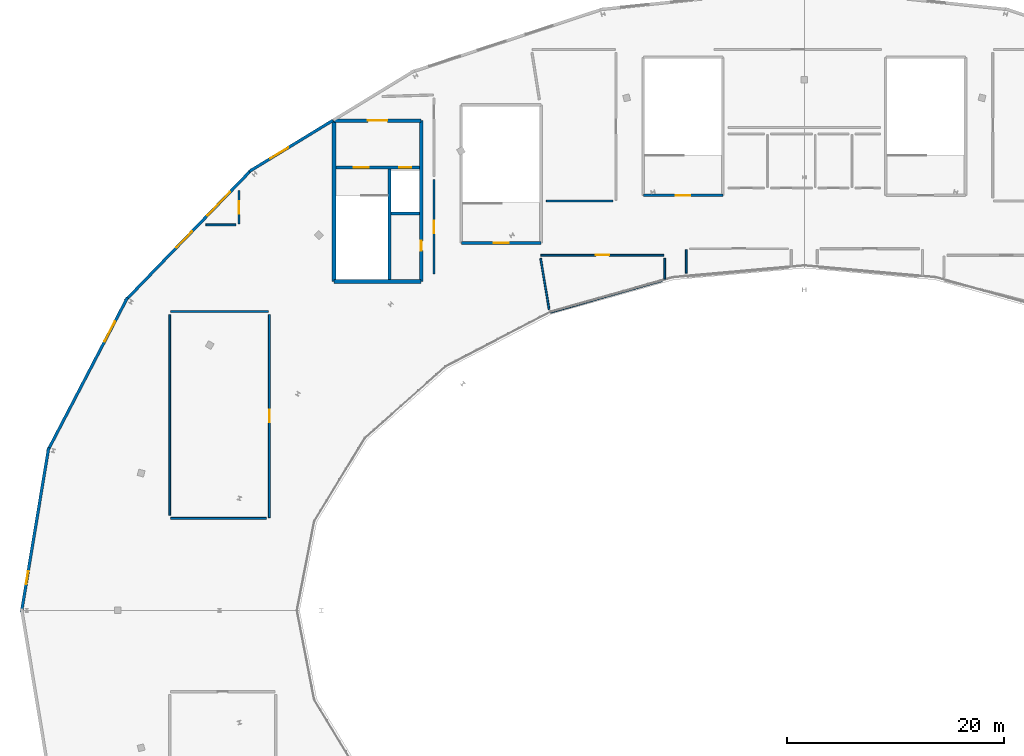
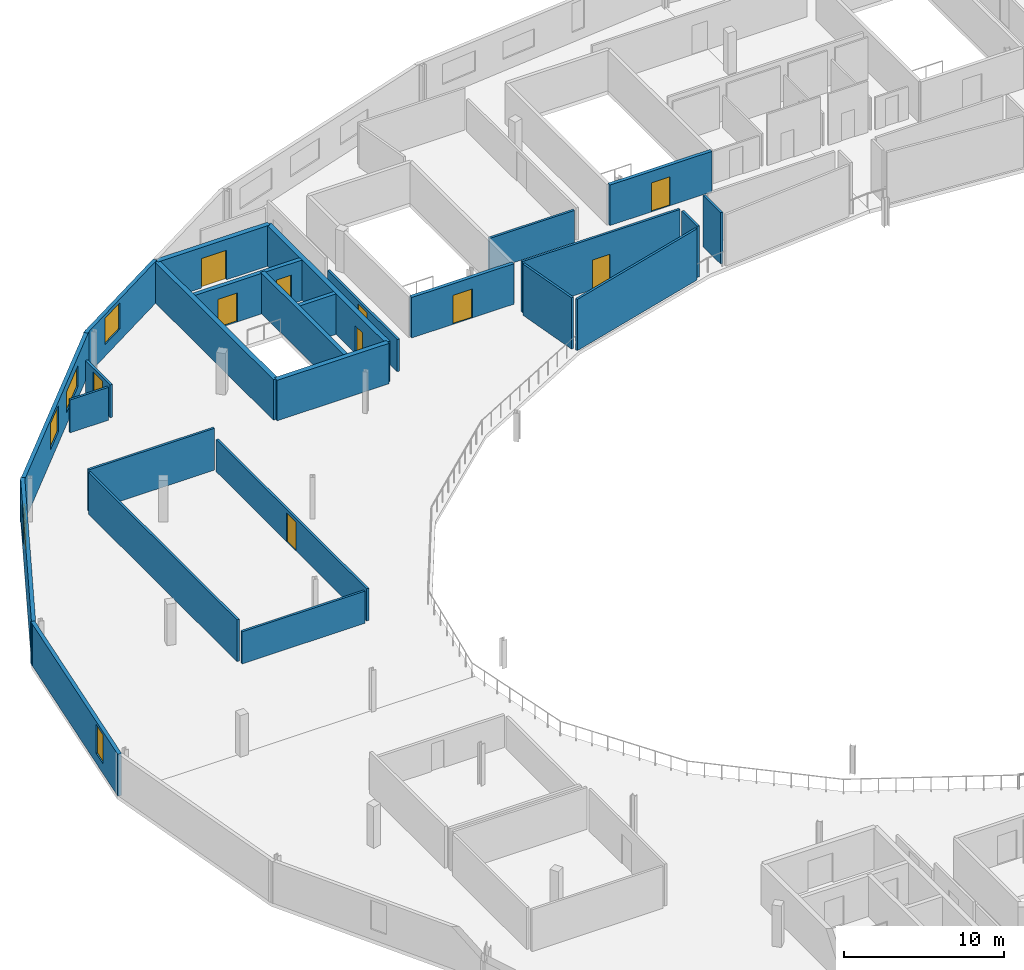
# One storey, part 29 of 35: 26 walls, 10 doors, 5 windows, 15 openings.
"""IFC4 building model written with IfcOpenShell, lengths in metres."""

from ifc_helpers import new_model, si_unit, direction, frame, frame_2d, origin, place, context, subcontext, project, spatial, rectangle, extrude, material, layer, layer_set, type_object, element, fill, save


model = new_model("IFC4")

# Units and contexts
model_context = context("Model", 3, precision=1e-05, world=origin(), true_north=direction((0.0, 1.0)))
body_context = subcontext(model_context, "Body", "Model", "MODEL_VIEW")
ifc_project = project(units=[si_unit("LENGTHUNIT", "METRE"), si_unit("AREAUNIT", "SQUARE_METRE"), si_unit("VOLUMEUNIT", "CUBIC_METRE"), si_unit("PLANEANGLEUNIT", "RADIAN"), si_unit("MASSUNIT", "GRAM", prefix="KILO")], contexts=[model_context])

# Site, building, storey
site_placement = place(None, origin())
site = spatial("IfcSite", under=ifc_project, at=site_placement, CompositionType="ELEMENT")
building_placement = place(site_placement, origin())
building = spatial("IfcBuilding", under=site, at=building_placement, Name="Kalgoora Escarpment Arena", CompositionType="ELEMENT")
storey_placement = place(building_placement, frame((0.0, 0.0, 23.39990234375)))
storey = spatial("IfcBuildingStorey", under=building, at=storey_placement, Name="L05", CompositionType="ELEMENT", Elevation=23.39990234375)

# Wall
ifc_material_1 = material(Name="Concrete N50 (fc' 50 MPa)", Category="concrete")
ifc_layer_1 = layer(ifc_material_1, 0.35009765625)
ifc_layer_set_1 = layer_set([ifc_layer_1], Name="WAL-CORE-350")
wall_type_1 = type_object("IfcWallType", Name="WAL-CORE-350", PredefinedType="SHEAR", material=ifc_layer_set_1)
wall_1_placement = place(storey_placement, frame((48.97509765625, 94.375, 0.0), z_axis=(0.0, 0.0, 1.0), x_axis=(1.0, 0.0, 0.0)))
element("IfcWall", 1, at=wall_1_placement, inside=storey, type_object=wall_type_1, Name="Core C3 L05 south shear wall", PredefinedType="SHEAR", context=body_context, shape_type="SweptSolid", body=[
    extrude(rectangle(XDim=8.0498046875, YDim=0.35009765625, at=frame_2d((4.02490234375, 0.0))), origin(), (0.0, 0.0, 1.0), 3.080078125),
])

# Wall, opening, door
wall_2_placement = place(storey_placement, frame((48.97509765625, 109.22509765625, 0.0), z_axis=(0.0, 0.0, 1.0), x_axis=(1.0, 0.0, 0.0)))
wall_2 = element("IfcWall", 2, at=wall_2_placement, inside=storey, type_object=wall_type_1, Name="Core C3 L05 north lobby wall", PredefinedType="SHEAR", context=body_context, shape_type="SweptSolid", body=[
    extrude(rectangle(XDim=8.0498046875, YDim=0.35009765625, at=frame_2d((4.02490234375, 0.0))), origin(), (0.0, 0.0, 1.0), 3.080078125),
])
opening_1_placement = place(wall_2_placement, frame((3.125, 0.0, 0.0)))
opening_1 = element("IfcOpeningElement", 3, at=opening_1_placement, cuts=wall_2, Name="Opening FD-C3L", PredefinedType="OPENING", context=body_context, shape_type="SweptSolid", body=[
    extrude(rectangle(XDim=1.800048828125, YDim=2.25, at=frame_2d((0.89990234375, 1.125))), frame((0.0, 0.18505859375, 0.0), z_axis=(0.0, -1.0, 0.0), x_axis=(1.0, 0.0, 0.0)), (0.0, 0.0, 1.0), 0.3701171875),
])
ifc_material_2 = material(Name="Double fire-rated smoke-seal lobby door")
door_type_1 = type_object("IfcDoorType", Name="DR-LOBBY-1800", OperationType="NOTDEFINED", PredefinedType="DOOR", material=ifc_material_2)
door_1_placement = place(opening_1_placement, origin())
door_1 = element("IfcDoor", 4, at=door_1_placement, inside=storey, type_object=door_type_1, Name="Core C3 L05 smoke-lobby fire door", OperationType="DOUBLE_DOOR_SINGLE_SWING", OverallHeight=2.25, OverallWidth=1.800048828125, PredefinedType="DOOR", context=body_context, shape_type="SweptSolid", body=[
    extrude(rectangle(XDim=1.800048828125, YDim=2.25, at=frame_2d((0.89990234375, 1.125))), frame((0.0, 0.02490234375, 0.0), z_axis=(0.0, -1.0, 0.0), x_axis=(1.0, 0.0, 0.0)), (0.0, 0.0, 1.0), 0.050048828125),
])
fill(opening_1, door_1)

# Wall
wall_3_placement = place(storey_placement, frame((48.97509765625, 94.375, 0.0), z_axis=(0.0, 0.0, 1.0), x_axis=(0.0, 1.0, 0.0)))
element("IfcWall", 5, at=wall_3_placement, inside=storey, type_object=wall_type_1, Name="Core C3 L05 west shear wall", PredefinedType="SHEAR", context=body_context, shape_type="SweptSolid", body=[
    extrude(rectangle(XDim=14.85009765625, YDim=0.35009765625, at=frame_2d((7.425048828125, 0.0))), origin(), (0.0, 0.0, 1.0), 3.080078125),
])

# Wall, opening, door
wall_4_placement = place(storey_placement, frame((57.02490234375, 94.375, 0.0), z_axis=(0.0, 0.0, 1.0), x_axis=(0.0, 1.0, 0.0)))
wall_4 = element("IfcWall", 6, at=wall_4_placement, inside=storey, type_object=wall_type_1, Name="Core C3 L05 east shear wall", PredefinedType="SHEAR", context=body_context, shape_type="SweptSolid", body=[
    extrude(rectangle(XDim=14.85009765625, YDim=0.35009765625, at=frame_2d((7.425048828125, 0.0))), origin(), (0.0, 0.0, 1.0), 3.080078125),
])
opening_2_placement = place(wall_4_placement, frame((2.85498046875, 0.0, 0.0)))
opening_2 = element("IfcOpeningElement", 7, at=opening_2_placement, cuts=wall_4, Name="Opening FD-C3R", PredefinedType="OPENING", context=body_context, shape_type="SweptSolid", body=[
    extrude(rectangle(XDim=0.89990234375, YDim=2.10009765625, at=frame_2d((0.449951171875, 1.050048828125))), frame((0.0, 0.18505859375, 0.0), z_axis=(0.0, -1.0, 0.0), x_axis=(1.0, 0.0, 0.0)), (0.0, 0.0, 1.0), 0.3701171875),
])
ifc_material_3 = material(Name="Fire-rated steel riser access door", Category="steel")
door_type_2 = type_object("IfcDoorType", Name="DR-RISER-0900", OperationType="NOTDEFINED", PredefinedType="DOOR", material=ifc_material_3)
door_2_placement = place(opening_2_placement, origin())
door_2 = element("IfcDoor", 8, at=door_2_placement, inside=storey, type_object=door_type_2, Name="Core C3 L05 riser cupboard access door", OperationType="SINGLE_SWING_RIGHT", OverallHeight=2.10009765625, OverallWidth=0.89990234375, PredefinedType="DOOR", context=body_context, shape_type="SweptSolid", body=[
    extrude(rectangle(XDim=0.89990234375, YDim=2.10009765625, at=frame_2d((0.449951171875, 1.050048828125))), frame((0.0, 0.02490234375, 0.0), z_axis=(0.0, -1.0, 0.0), x_axis=(1.0, 0.0, 0.0)), (0.0, 0.0, 1.0), 0.050048828125),
])
fill(opening_2, door_2)

# Wall, opening, window
ifc_material_4 = material(Name="Media ring insulated acoustic facade wall 40 MPa", Category="concrete")
ifc_layer_2 = layer(ifc_material_4, 0.264892578125)
ifc_layer_set_2 = layer_set([ifc_layer_2], Name="WAL-EXT-265")
wall_type_2 = type_object("IfcWallType", Name="WAL-EXT-265", PredefinedType="SOLIDWALL", material=ifc_layer_set_2)
wall_5_placement = place(storey_placement, frame((20.105712890625, 63.82666015625, 0.0), z_axis=(0.0, 0.0, 1.0), x_axis=(0.163253657255, 0.986584128898, 0.0)))
wall_5 = element("IfcWall", 9, at=wall_5_placement, inside=storey, type_object=wall_type_2, Name="L05 limestone-faced external wall 089", PredefinedType="SOLIDWALL", context=body_context, shape_type="SweptSolid", body=[
    extrude(rectangle(XDim=15.418212890625, YDim=0.264892578125, at=frame_2d((7.708984375, 0.0))), origin(), (0.0, 0.0, 1.0), 3.18017578125),
])
opening_3_placement = place(wall_5_placement, frame((2.64990234375, 0.0, 0.75)))
opening_3 = element("IfcOpeningElement", 10, at=opening_3_placement, cuts=wall_5, Name="Opening W-05", PredefinedType="OPENING", context=body_context, shape_type="SweptSolid", body=[
    extrude(rectangle(XDim=1.199951171875, YDim=2.199951171875, at=frame_2d((0.60009765625, 1.10009765625))), frame((0.0, 0.142333984375, 0.0), z_axis=(0.0, -1.0, 0.0), x_axis=(1.0, 0.0, 0.0)), (0.0, 0.0, 1.0), 0.284912109375),
])
ifc_material_5 = material(Name="Low-E solar-control double glazing in champagne frame", Category="glass")
window_type_1 = type_object("IfcWindowType", Name="WIN-DECO-1200x2200", PartitioningType="SINGLE_PANEL", PredefinedType="WINDOW", material=ifc_material_5)
window_1_placement = place(opening_3_placement, origin())
window_1 = element("IfcWindow", 11, at=window_1_placement, inside=storey, type_object=window_type_1, Name="L05 scheduled facade window 145", OverallHeight=2.199951171875, OverallWidth=1.199951171875, PartitioningType="SINGLE_PANEL", PredefinedType="WINDOW", context=body_context, shape_type="SweptSolid", body=[
    extrude(rectangle(XDim=1.199951171875, YDim=2.199951171875, at=frame_2d((0.60009765625, 1.10009765625))), frame((0.0, 0.030029296875, 0.0), z_axis=(0.0, -1.0, 0.0), x_axis=(1.0, 0.0, 0.0)), (0.0, 0.0, 1.0), 0.06005859375),
])
fill(opening_3, window_1)

wall_6_placement = place(storey_placement, frame((22.513427734375, 78.71044921875, 0.0), z_axis=(0.0, 0.0, 1.0), x_axis=(0.461805637467, 0.886981145912, 0.0)))
wall_6 = element("IfcWall", 12, at=wall_6_placement, inside=storey, type_object=wall_type_2, Name="L05 limestone-faced external wall 090", PredefinedType="SOLIDWALL", context=body_context, shape_type="SweptSolid", body=[
    extrude(rectangle(XDim=15.969482421875, YDim=0.264892578125, at=frame_2d((7.98486328125, 0.0))), origin(), (0.0, 0.0, 1.0), 3.18017578125),
])
opening_4_placement = place(wall_6_placement, frame((11.39990234375, 0.0, 0.89990234375)))
opening_4 = element("IfcOpeningElement", 13, at=opening_4_placement, cuts=wall_6, Name="Opening W-08", PredefinedType="OPENING", context=body_context, shape_type="SweptSolid", body=[
    extrude(rectangle(XDim=2.10009765625, YDim=2.0, at=frame_2d((1.050048828125, 1.0))), frame((0.0, 0.142333984375, 0.0), z_axis=(0.0, -1.0, 0.0), x_axis=(1.0, 0.0, 0.0)), (0.0, 0.0, 1.0), 0.284912109375),
])
ifc_material_6 = material(Name="Low-E solar-control double glazing in champagne frame", Category="glass")
window_type_2 = type_object("IfcWindowType", Name="WIN-DECO-2100x2000", PartitioningType="SINGLE_PANEL", PredefinedType="WINDOW", material=ifc_material_6)
window_2_placement = place(opening_4_placement, origin())
window_2 = element("IfcWindow", 14, at=window_2_placement, inside=storey, type_object=window_type_2, Name="L05 scheduled facade window 146", OverallHeight=2.0, OverallWidth=2.10009765625, PartitioningType="SINGLE_PANEL", PredefinedType="WINDOW", context=body_context, shape_type="SweptSolid", body=[
    extrude(rectangle(XDim=2.10009765625, YDim=2.0, at=frame_2d((1.050048828125, 1.0))), frame((0.0, 0.030029296875, 0.0), z_axis=(0.0, -1.0, 0.0), x_axis=(1.0, 0.0, 0.0)), (0.0, 0.0, 1.0), 0.06005859375),
])
fill(opening_4, window_2)

# Wall, openings, windows
wall_7_placement = place(storey_placement, frame((29.6884765625, 92.597412109375, 0.0), z_axis=(0.0, 0.0, 1.0), x_axis=(0.694213985366, 0.719768672924, 0.0)))
wall_7 = element("IfcWall", 15, at=wall_7_placement, inside=storey, type_object=wall_type_2, Name="L05 limestone-faced external wall 091", PredefinedType="SOLIDWALL", context=body_context, shape_type="SweptSolid", body=[
    extrude(rectangle(XDim=16.88134765625, YDim=0.264892578125, at=frame_2d((8.440673828125, 0.0))), origin(), (0.0, 0.0, 1.0), 3.18017578125),
])
opening_5_placement = place(wall_7_placement, frame((6.800048828125, 0.0, 0.89990234375)))
opening_5 = element("IfcOpeningElement", 16, at=opening_5_placement, cuts=wall_7, Name="Opening W-08", PredefinedType="OPENING", context=body_context, shape_type="SweptSolid", body=[
    extrude(rectangle(XDim=2.10009765625, YDim=2.0, at=frame_2d((1.050048828125, 1.0))), frame((0.0, 0.142333984375, 0.0), z_axis=(0.0, -1.0, 0.0), x_axis=(1.0, 0.0, 0.0)), (0.0, 0.0, 1.0), 0.284912109375),
])
opening_6_placement = place(wall_7_placement, frame((10.949951171875, 0.0, 0.89990234375)))
opening_6 = element("IfcOpeningElement", 17, at=opening_6_placement, cuts=wall_7, Name="Opening W-10", PredefinedType="OPENING", context=body_context, shape_type="SweptSolid", body=[
    extrude(rectangle(XDim=3.0, YDim=1.60009765625, at=frame_2d((1.5, 0.800048828125))), frame((0.0, 0.142333984375, 0.0), z_axis=(0.0, -1.0, 0.0), x_axis=(1.0, 0.0, 0.0)), (0.0, 0.0, 1.0), 0.284912109375),
])
ifc_material_7 = material(Name="Low-E solar-control double glazing in champagne frame", Category="glass")
window_type_3 = type_object("IfcWindowType", Name="WIN-BAND-3000x1600", PartitioningType="SINGLE_PANEL", PredefinedType="WINDOW", material=ifc_material_7)
window_3_placement = place(opening_6_placement, origin())
window_3 = element("IfcWindow", 18, at=window_3_placement, inside=storey, type_object=window_type_3, Name="L05 scheduled facade window 148", OverallHeight=1.60009765625, OverallWidth=3.0, PartitioningType="SINGLE_PANEL", PredefinedType="WINDOW", context=body_context, shape_type="SweptSolid", body=[
    extrude(rectangle(XDim=3.0, YDim=1.60009765625, at=frame_2d((1.5, 0.800048828125))), frame((0.0, 0.030029296875, 0.0), z_axis=(0.0, -1.0, 0.0), x_axis=(1.0, 0.0, 0.0)), (0.0, 0.0, 1.0), 0.06005859375),
])
fill(opening_6, window_3)
window_4_placement = place(opening_5_placement, origin())
window_4 = element("IfcWindow", 19, at=window_4_placement, inside=storey, type_object=window_type_2, Name="L05 scheduled facade window 147", OverallHeight=2.0, OverallWidth=2.10009765625, PartitioningType="SINGLE_PANEL", PredefinedType="WINDOW", context=body_context, shape_type="SweptSolid", body=[
    extrude(rectangle(XDim=2.10009765625, YDim=2.0, at=frame_2d((1.050048828125, 1.0))), frame((0.0, 0.030029296875, 0.0), z_axis=(0.0, -1.0, 0.0), x_axis=(1.0, 0.0, 0.0)), (0.0, 0.0, 1.0), 0.06005859375),
])
fill(opening_5, window_4)

# Wall, opening, window
wall_8_placement = place(storey_placement, frame((41.143310546875, 104.5361328125, 0.0), z_axis=(0.0, 0.0, 1.0), x_axis=(0.853521769318, 0.52105718429, 0.0)))
wall_8 = element("IfcWall", 20, at=wall_8_placement, inside=storey, type_object=wall_type_2, Name="L05 limestone-faced external wall 092", PredefinedType="SOLIDWALL", context=body_context, shape_type="SweptSolid", body=[
    extrude(rectangle(XDim=9.051513671875, YDim=0.264892578125, at=frame_2d((4.52587890625, 0.0))), origin(), (0.0, 0.0, 1.0), 3.18017578125),
])
opening_7_placement = place(wall_8_placement, frame((2.27490234375, 0.0, 0.89990234375)))
opening_7 = element("IfcOpeningElement", 21, at=opening_7_placement, cuts=wall_8, Name="Opening W-09", PredefinedType="OPENING", context=body_context, shape_type="SweptSolid", body=[
    extrude(rectangle(XDim=1.949951171875, YDim=2.0, at=frame_2d((0.97509765625, 1.0))), frame((0.0, 0.142333984375, 0.0), z_axis=(0.0, -1.0, 0.0), x_axis=(1.0, 0.0, 0.0)), (0.0, 0.0, 1.0), 0.284912109375),
])
ifc_material_8 = material(Name="Low-E solar-control double glazing in champagne frame", Category="glass")
window_type_4 = type_object("IfcWindowType", Name="WIN-DECO-1950x2000", PartitioningType="SINGLE_PANEL", PredefinedType="WINDOW", material=ifc_material_8)
window_5_placement = place(opening_7_placement, origin())
window_5 = element("IfcWindow", 22, at=window_5_placement, inside=storey, type_object=window_type_4, Name="L05 scheduled facade window 149", OverallHeight=2.0, OverallWidth=1.949951171875, PartitioningType="SINGLE_PANEL", PredefinedType="WINDOW", context=body_context, shape_type="SweptSolid", body=[
    extrude(rectangle(XDim=1.949951171875, YDim=2.0, at=frame_2d((0.97509765625, 1.0))), frame((0.0, 0.030029296875, 0.0), z_axis=(0.0, -1.0, 0.0), x_axis=(1.0, 0.0, 0.0)), (0.0, 0.0, 1.0), 0.06005859375),
])
fill(opening_7, window_5)

# Walls
ifc_material_9 = material(Name="Broadcast acoustic double-stud partition", Category="gypsum")
ifc_layer_3 = layer(ifc_material_9, 0.1650390625)
ifc_layer_set_3 = layer_set([ifc_layer_3], Name="WAL-MED-165")
wall_type_3 = type_object("IfcWallType", Name="WAL-MED-165", PredefinedType="PARTITIONING", material=ifc_layer_set_3)
wall_9_placement = place(storey_placement, frame((74.715087890625, 101.800048828125, 0.0), z_axis=(0.0, 0.0, 1.0), x_axis=(-1.0, 0.0, 0.0)))
element("IfcWall", 23, at=wall_9_placement, inside=storey, type_object=wall_type_3, Name="L05 Broadcast Studio partition wall", PredefinedType="PARTITIONING", context=body_context, shape_type="SweptSolid", body=[
    extrude(rectangle(XDim=6.14013671875, YDim=0.1650390625, at=frame_2d((3.070068359375, 0.0))), origin(), (0.0, 0.0, 1.0), 2.445068359375),
])
wall_10_placement = place(storey_placement, frame((33.8798828125, 91.60009765625, 0.0), z_axis=(0.0, 0.0, 1.0), x_axis=(1.0, 0.0, 0.0)))
element("IfcWall", 24, at=wall_10_placement, inside=storey, type_object=wall_type_3, Name="L05 Television Production Gallery partition wall", PredefinedType="PARTITIONING", context=body_context, shape_type="SweptSolid", body=[
    extrude(rectangle(XDim=9.0400390625, YDim=0.1650390625, at=frame_2d((4.52001953125, 0.0))), origin(), (0.0, 0.0, 1.0), 3.18017578125),
])

# Wall, opening, door
wall_11_placement = place(storey_placement, frame((43.0, 91.315185546875, 0.0), z_axis=(0.0, 0.0, 1.0), x_axis=(0.0, -1.0, 0.0)))
wall_11 = element("IfcWall", 25, at=wall_11_placement, inside=storey, type_object=wall_type_3, Name="L05 Television Production Gallery partition wall", PredefinedType="PARTITIONING", context=body_context, shape_type="SweptSolid", body=[
    extrude(rectangle(XDim=18.735107421875, YDim=0.1650390625, at=frame_2d((9.36767578125, 0.0))), origin(), (0.0, 0.0, 1.0), 2.445068359375),
])
opening_8_placement = place(wall_11_placement, frame((8.79248046875, 0.0, 0.0)))
opening_8 = element("IfcOpeningElement", 26, at=opening_8_placement, cuts=wall_11, Name="Opening FD-I152", PredefinedType="OPENING", context=body_context, shape_type="SweptSolid", body=[
    extrude(rectangle(XDim=1.14990234375, YDim=2.199951171875, at=frame_2d((0.574951171875, 1.10009765625))), frame((0.0, 0.092529296875, 0.0), z_axis=(0.0, -1.0, 0.0), x_axis=(1.0, 0.0, 0.0)), (0.0, 0.0, 1.0), 0.18505859375),
])
ifc_material_10 = material(Name="Acoustic seal commentary suite leaf")
door_type_3 = type_object("IfcDoorType", Name="DR-MED-1150", OperationType="NOTDEFINED", PredefinedType="DOOR", material=ifc_material_10)
door_3_placement = place(opening_8_placement, origin())
door_3 = element("IfcDoor", 27, at=door_3_placement, inside=storey, type_object=door_type_3, Name="Television Production Gallery entrance door", OperationType="SINGLE_SWING_RIGHT", OverallHeight=2.199951171875, OverallWidth=1.14990234375, PredefinedType="DOOR", context=body_context, shape_type="SweptSolid", body=[
    extrude(rectangle(XDim=1.14990234375, YDim=2.199951171875, at=frame_2d((0.574951171875, 1.10009765625))), frame((0.0, 0.02490234375, 0.0), z_axis=(0.0, -1.0, 0.0), x_axis=(1.0, 0.0, 0.0)), (0.0, 0.0, 1.0), 0.050048828125),
])
fill(opening_8, door_3)

# Walls
wall_12_placement = place(storey_placement, frame((42.715087890625, 72.5, 0.0), z_axis=(0.0, 0.0, 1.0), x_axis=(-1.0, 0.0, 0.0)))
element("IfcWall", 28, at=wall_12_placement, inside=storey, type_object=wall_type_3, Name="L05 Television Production Gallery partition wall", PredefinedType="PARTITIONING", context=body_context, shape_type="SweptSolid", body=[
    extrude(rectangle(XDim=8.835205078125, YDim=0.1650390625, at=frame_2d((4.41748046875, 0.0))), origin(), (0.0, 0.0, 1.0), 2.445068359375),
])
wall_13_placement = place(storey_placement, frame((33.800048828125, 72.784912109375, 0.0), z_axis=(0.0, 0.0, 1.0), x_axis=(0.0, 1.0, 0.0)))
element("IfcWall", 29, at=wall_13_placement, inside=storey, type_object=wall_type_3, Name="L05 Television Production Gallery partition wall", PredefinedType="PARTITIONING", context=body_context, shape_type="SweptSolid", body=[
    extrude(rectangle(XDim=18.5302734375, YDim=0.1650390625, at=frame_2d((9.26513671875, 0.0))), origin(), (0.0, 0.0, 1.0), 3.18017578125),
])

# Wall, opening, door
wall_14_placement = place(storey_placement, frame((58.199951171875, 103.77001953125, 0.0), z_axis=(0.0, 0.0, 1.0), x_axis=(0.0, -1.0, 0.0)))
wall_14 = element("IfcWall", 30, at=wall_14_placement, inside=storey, type_object=wall_type_3, Name="L05 West Media Editing Suite partition wall", PredefinedType="PARTITIONING", context=body_context, shape_type="SweptSolid", body=[
    extrude(rectangle(XDim=8.68994140625, YDim=0.1650390625, at=frame_2d((4.344970703125, 0.0))), origin(), (0.0, 0.0, 1.0), 2.445068359375),
])
opening_9_placement = place(wall_14_placement, frame((3.77001953125, 0.0, 0.0)))
opening_9 = element("IfcOpeningElement", 31, at=opening_9_placement, cuts=wall_14, Name="Opening FD-I153", PredefinedType="OPENING", context=body_context, shape_type="SweptSolid", body=[
    extrude(rectangle(XDim=1.14990234375, YDim=2.199951171875, at=frame_2d((0.574951171875, 1.10009765625))), frame((0.0, 0.092529296875, 0.0), z_axis=(0.0, -1.0, 0.0), x_axis=(1.0, 0.0, 0.0)), (0.0, 0.0, 1.0), 0.18505859375),
])
door_4_placement = place(opening_9_placement, origin())
door_4 = element("IfcDoor", 32, at=door_4_placement, inside=storey, type_object=door_type_3, Name="West Media Editing Suite entrance door", OperationType="SINGLE_SWING_LEFT", OverallHeight=2.199951171875, OverallWidth=1.14990234375, PredefinedType="DOOR", context=body_context, shape_type="SweptSolid", body=[
    extrude(rectangle(XDim=1.14990234375, YDim=2.199951171875, at=frame_2d((0.574951171875, 1.10009765625))), frame((0.0, 0.02490234375, 0.0), z_axis=(0.0, -1.0, 0.0), x_axis=(1.0, 0.0, 0.0)), (0.0, 0.0, 1.0), 0.050048828125),
])
fill(opening_9, door_4)

wall_15_placement = place(storey_placement, frame((40.199951171875, 102.767578125, 0.0), z_axis=(0.0, 0.0, 1.0), x_axis=(0.0, -1.0, 0.0)))
wall_15 = element("IfcWall", 33, at=wall_15_placement, inside=storey, type_object=wall_type_3, Name="L05 North West Media Briefing Hall partition wall", PredefinedType="PARTITIONING", context=body_context, shape_type="SweptSolid", body=[
    extrude(rectangle(XDim=3.087646484375, YDim=0.1650390625, at=frame_2d((1.5439453125, 0.0))), origin(), (0.0, 0.0, 1.0), 2.5),
])
opening_10_placement = place(wall_15_placement, frame((0.96875, 0.0, 0.0)))
opening_10 = element("IfcOpeningElement", 34, at=opening_10_placement, cuts=wall_15, Name="Opening FD-I155", PredefinedType="OPENING", context=body_context, shape_type="SweptSolid", body=[
    extrude(rectangle(XDim=1.14990234375, YDim=2.199951171875, at=frame_2d((0.574951171875, 1.10009765625))), frame((0.0, 0.092529296875, 0.0), z_axis=(0.0, -1.0, 0.0), x_axis=(1.0, 0.0, 0.0)), (0.0, 0.0, 1.0), 0.18505859375),
])
door_5_placement = place(opening_10_placement, origin())
door_5 = element("IfcDoor", 35, at=door_5_placement, inside=storey, type_object=door_type_3, Name="North West Media Briefing Hall entrance door", OperationType="SINGLE_SWING_LEFT", OverallHeight=2.199951171875, OverallWidth=1.14990234375, PredefinedType="DOOR", context=body_context, shape_type="SweptSolid", body=[
    extrude(rectangle(XDim=1.14990234375, YDim=2.199951171875, at=frame_2d((0.574951171875, 1.10009765625))), frame((0.0, 0.02490234375, 0.0), z_axis=(0.0, -1.0, 0.0), x_axis=(1.0, 0.0, 0.0)), (0.0, 0.0, 1.0), 0.050048828125),
])
fill(opening_10, door_5)

# Wall
wall_16_placement = place(storey_placement, frame((39.915283203125, 99.60009765625, 0.0), z_axis=(0.0, 0.0, 1.0), x_axis=(-1.0, 0.0, 0.0)))
element("IfcWall", 36, at=wall_16_placement, inside=storey, type_object=wall_type_3, Name="L05 North West Media Briefing Hall partition wall", PredefinedType="PARTITIONING", context=body_context, shape_type="SweptSolid", body=[
    extrude(rectangle(XDim=2.767578125, YDim=0.1650390625, at=frame_2d((1.3837890625, 0.0))), origin(), (0.0, 0.0, 1.0), 2.5),
])

# Wall, opening, door
wall_17_placement = place(storey_placement, frame((68.080078125, 96.800048828125, 0.0), z_axis=(0.0, 0.0, 1.0), x_axis=(1.0, 0.0, 0.0)))
wall_17 = element("IfcWall", 37, at=wall_17_placement, inside=storey, type_object=wall_type_3, Name="L05 Commentary Box 1 partition wall", PredefinedType="PARTITIONING", context=body_context, shape_type="SweptSolid", body=[
    extrude(rectangle(XDim=11.33984375, YDim=0.1650390625, at=frame_2d((5.669921875, 0.0))), origin(), (0.0, 0.0, 1.0), 3.900146484375),
])
opening_11_placement = place(wall_17_placement, frame((5.044921875, 0.0, 0.0)))
opening_11 = element("IfcOpeningElement", 38, at=opening_11_placement, cuts=wall_17, Name="Opening FD-I167", PredefinedType="OPENING", context=body_context, shape_type="SweptSolid", body=[
    extrude(rectangle(XDim=1.25, YDim=2.25, at=frame_2d((0.625, 1.125))), frame((0.0, 0.092529296875, 0.0), z_axis=(0.0, -1.0, 0.0), x_axis=(1.0, 0.0, 0.0)), (0.0, 0.0, 1.0), 0.18505859375),
])
ifc_material_11 = material(Name="Acoustic seal broadcast studio leaf")
door_type_4 = type_object("IfcDoorType", Name="DR-MED-1250", OperationType="NOTDEFINED", PredefinedType="DOOR", material=ifc_material_11)
door_6_placement = place(opening_11_placement, origin())
door_6 = element("IfcDoor", 39, at=door_6_placement, inside=storey, type_object=door_type_4, Name="Commentary Box 1 entrance door", OperationType="SINGLE_SWING_LEFT", OverallHeight=2.25, OverallWidth=1.25, PredefinedType="DOOR", context=body_context, shape_type="SweptSolid", body=[
    extrude(rectangle(XDim=1.25, YDim=2.25, at=frame_2d((0.625, 1.125))), frame((0.0, 0.02490234375, 0.0), z_axis=(0.0, -1.0, 0.0), x_axis=(1.0, 0.0, 0.0)), (0.0, 0.0, 1.0), 0.050048828125),
])
fill(opening_11, door_6)

# Walls
wall_18_placement = place(storey_placement, frame((79.5, 96.51513671875, 0.0), z_axis=(0.0, 0.0, 1.0), x_axis=(0.0, -1.0, 0.0)))
element("IfcWall", 40, at=wall_18_placement, inside=storey, type_object=wall_type_3, Name="L05 Commentary Box 1 partition wall", PredefinedType="PARTITIONING", context=body_context, shape_type="SweptSolid", body=[
    extrude(rectangle(XDim=1.9189453125, YDim=0.1650390625, at=frame_2d((0.95947265625, 0.0))), origin(), (0.0, 0.0, 1.0), 3.900146484375),
])
wall_19_placement = place(storey_placement, frame((79.24609375, 94.44384765625, 0.0), z_axis=(0.0, 0.0, 1.0), x_axis=(-0.961963717296, -0.27317724394, 0.0)))
element("IfcWall", 41, at=wall_19_placement, inside=storey, type_object=wall_type_3, Name="L05 Commentary Box 1 partition wall", PredefinedType="PARTITIONING", context=body_context, shape_type="SweptSolid", body=[
    extrude(rectangle(XDim=10.69580078125, YDim=0.1650390625, at=frame_2d((5.347900390625, 0.0))), origin(), (0.0, 0.0, 1.0), 3.900146484375),
])
wall_20_placement = place(storey_placement, frame((68.83203125, 91.789794921875, 0.0), z_axis=(0.0, 0.0, 1.0), x_axis=(-0.163835799107, 0.986487623303, 0.0)))
element("IfcWall", 42, at=wall_20_placement, inside=storey, type_object=wall_type_3, Name="L05 Commentary Box 1 partition wall", PredefinedType="PARTITIONING", context=body_context, shape_type="SweptSolid", body=[
    extrude(rectangle(XDim=4.780517578125, YDim=0.1650390625, at=frame_2d((2.39013671875, 0.0))), origin(), (0.0, 0.0, 1.0), 3.900146484375),
])
wall_21_placement = place(storey_placement, frame((81.5, 95.139892578125, 0.0), z_axis=(0.0, 0.0, 1.0), x_axis=(0.0, 1.0, 0.0)))
element("IfcWall", 43, at=wall_21_placement, inside=storey, type_object=wall_type_3, Name="L05 Commentary Box 2 partition wall", PredefinedType="PARTITIONING", context=body_context, shape_type="SweptSolid", body=[
    extrude(rectangle(XDim=2.18017578125, YDim=0.1650390625, at=frame_2d((1.090087890625, 0.0))), origin(), (0.0, 0.0, 1.0), 3.900146484375),
])

# Wall, openings, doors
ifc_material_12 = material(Name="Concrete N50 (fc' 50 MPa)", Category="concrete")
ifc_layer_4 = layer(ifc_material_12, 0.300048828125)
ifc_layer_set_4 = layer_set([ifc_layer_4], Name="WAL-SHAFT-300")
wall_type_4 = type_object("IfcWallType", Name="WAL-SHAFT-300", PredefinedType="SHEAR", material=ifc_layer_set_4)
wall_22_placement = place(storey_placement, frame((49.14990234375, 104.89990234375, 0.0), z_axis=(0.0, 0.0, 1.0), x_axis=(1.0, 0.0, 0.0)))
wall_22 = element("IfcWall", 44, at=wall_22_placement, inside=storey, type_object=wall_type_4, Name="Core C3 L05 lobby shaft wall", PredefinedType="SHEAR", context=body_context, shape_type="SweptSolid", body=[
    extrude(rectangle(XDim=7.7001953125, YDim=0.300048828125, at=frame_2d((3.85009765625, 0.0))), origin(), (0.0, 0.0, 1.0), 3.080078125),
])
opening_12_placement = place(wall_22_placement, frame((1.64990234375, 0.0, 0.0)))
opening_12 = element("IfcOpeningElement", 45, at=opening_12_placement, cuts=wall_22, Name="Opening FD-ST03", PredefinedType="OPENING", context=body_context, shape_type="SweptSolid", body=[
    extrude(rectangle(XDim=1.39990234375, YDim=2.199951171875, at=frame_2d((0.699951171875, 1.10009765625))), frame((0.0, 0.159912109375, 0.0), z_axis=(0.0, -1.0, 0.0), x_axis=(1.0, 0.0, 0.0)), (0.0, 0.0, 1.0), 0.320068359375),
])
opening_13_placement = place(wall_22_placement, frame((5.85009765625, 0.0, 0.0)))
opening_13 = element("IfcOpeningElement", 46, at=opening_13_placement, cuts=wall_22, Name="Opening LD-PL1", PredefinedType="OPENING", context=body_context, shape_type="SweptSolid", body=[
    extrude(rectangle(XDim=1.10009765625, YDim=2.199951171875, at=frame_2d((0.550048828125, 1.10009765625))), frame((0.0, 0.159912109375, 0.0), z_axis=(0.0, -1.0, 0.0), x_axis=(1.0, 0.0, 0.0)), (0.0, 0.0, 1.0), 0.320068359375),
])
ifc_material_13 = material(Name="Brushed stainless steel sliding lift landing door", Category="steel")
door_type_5 = type_object("IfcDoorType", Name="DR-LD-PL1", OperationType="SLIDING_TO_LEFT", PredefinedType="DOOR", material=ifc_material_13)
door_7_placement = place(opening_13_placement, origin())
door_7 = element("IfcDoor", 47, at=door_7_placement, inside=storey, type_object=door_type_5, Name="Lift PL1 L05 sliding landing door", OperationType="SLIDING_TO_LEFT", OverallHeight=2.199951171875, OverallWidth=1.10009765625, PredefinedType="DOOR", context=body_context, shape_type="SweptSolid", body=[
    extrude(rectangle(XDim=1.10009765625, YDim=2.199951171875, at=frame_2d((0.550048828125, 1.10009765625))), frame((0.0, 0.02490234375, 0.0), z_axis=(0.0, -1.0, 0.0), x_axis=(1.0, 0.0, 0.0)), (0.0, 0.0, 1.0), 0.050048828125),
])
fill(opening_13, door_7)
ifc_material_14 = material(Name="Fire-rated steel stair leaf with vision panel", Category="steel")
door_type_6 = type_object("IfcDoorType", Name="DR-STAIR-1400", OperationType="NOTDEFINED", PredefinedType="DOOR", material=ifc_material_14)
door_8_placement = place(opening_12_placement, origin())
door_8 = element("IfcDoor", 48, at=door_8_placement, inside=storey, type_object=door_type_6, Name="Fire stair ST03 L05 fire door", OperationType="SINGLE_SWING_LEFT", OverallHeight=2.199951171875, OverallWidth=1.39990234375, PredefinedType="DOOR", context=body_context, shape_type="SweptSolid", body=[
    extrude(rectangle(XDim=1.39990234375, YDim=2.199951171875, at=frame_2d((0.699951171875, 1.10009765625))), frame((0.0, 0.02490234375, 0.0), z_axis=(0.0, -1.0, 0.0), x_axis=(1.0, 0.0, 0.0)), (0.0, 0.0, 1.0), 0.050048828125),
])
fill(opening_12, door_8)

# Walls
wall_23_placement = place(storey_placement, frame((54.10009765625, 94.550048828125, 0.0), z_axis=(0.0, 0.0, 1.0), x_axis=(0.0, 1.0, 0.0)))
element("IfcWall", 49, at=wall_23_placement, inside=storey, type_object=wall_type_4, Name="Core C3 L05 stair-lift spine wall", PredefinedType="SHEAR", context=body_context, shape_type="SweptSolid", body=[
    extrude(rectangle(XDim=10.349853515625, YDim=0.300048828125, at=frame_2d((5.1748046875, 0.0))), origin(), (0.0, 0.0, 1.0), 3.080078125),
])
wall_24_placement = place(storey_placement, frame((54.25, 100.64990234375, 0.0), z_axis=(0.0, 0.0, 1.0), x_axis=(1.0, 0.0, 0.0)))
element("IfcWall", 50, at=wall_24_placement, inside=storey, type_object=wall_type_4, Name="Core C3 L05 lift-riser divider wall", PredefinedType="SHEAR", context=body_context, shape_type="SweptSolid", body=[
    extrude(rectangle(XDim=2.60009765625, YDim=0.300048828125, at=frame_2d((1.300048828125, 0.0))), origin(), (0.0, 0.0, 1.0), 3.080078125),
])

# Wall, opening, door
ifc_material_15 = material(Name="Concrete N50 (fc' 50 MPa)", Category="concrete")
ifc_layer_5 = layer(ifc_material_15, 0.25)
ifc_layer_set_5 = layer_set([ifc_layer_5], Name="WAL-STAIR-250")
wall_type_5 = type_object("IfcWallType", Name="WAL-STAIR-250", PredefinedType="SHEAR", material=ifc_layer_set_5)
wall_25_placement = place(storey_placement, frame((60.72509765625, 97.925048828125, 0.0), z_axis=(0.0, 0.0, 1.0), x_axis=(1.0, 0.0, 0.0)))
wall_25 = element("IfcWall", 51, at=wall_25_placement, inside=storey, type_object=wall_type_5, Name="Exit stair ST09 L05 south wall", PredefinedType="SHEAR", context=body_context, shape_type="SweptSolid", body=[
    extrude(rectangle(XDim=7.349853515625, YDim=0.25, at=frame_2d((3.6748046875, 0.0))), origin(), (0.0, 0.0, 1.0), 3.080078125),
])
opening_14_placement = place(wall_25_placement, frame((2.97509765625, 0.0, 0.0)))
opening_14 = element("IfcOpeningElement", 52, at=opening_14_placement, cuts=wall_25, Name="Opening FD-ST09", PredefinedType="OPENING", context=body_context, shape_type="SweptSolid", body=[
    extrude(rectangle(XDim=1.39990234375, YDim=2.199951171875, at=frame_2d((0.699951171875, 1.10009765625))), frame((0.0, 0.135009765625, 0.0), z_axis=(0.0, -1.0, 0.0), x_axis=(1.0, 0.0, 0.0)), (0.0, 0.0, 1.0), 0.27001953125),
])
door_9_placement = place(opening_14_placement, origin())
door_9 = element("IfcDoor", 53, at=door_9_placement, inside=storey, type_object=door_type_6, Name="Fire-isolated stair ST09 L05 egress door", OperationType="SINGLE_SWING_RIGHT", OverallHeight=2.199951171875, OverallWidth=1.39990234375, PredefinedType="DOOR", context=body_context, shape_type="SweptSolid", body=[
    extrude(rectangle(XDim=1.39990234375, YDim=2.199951171875, at=frame_2d((0.699951171875, 1.10009765625))), frame((0.0, 0.02490234375, 0.0), z_axis=(0.0, -1.0, 0.0), x_axis=(1.0, 0.0, 0.0)), (0.0, 0.0, 1.0), 0.050048828125),
])
fill(opening_14, door_9)

wall_26_placement = place(storey_placement, frame((77.52490234375, 102.324951171875, 0.0), z_axis=(0.0, 0.0, 1.0), x_axis=(1.0, 0.0, 0.0)))
wall_26 = element("IfcWall", 54, at=wall_26_placement, inside=storey, type_object=wall_type_5, Name="Exit stair ST10 L05 south wall", PredefinedType="SHEAR", context=body_context, shape_type="SweptSolid", body=[
    extrude(rectangle(XDim=7.35009765625, YDim=0.25, at=frame_2d((3.675048828125, 0.0))), origin(), (0.0, 0.0, 1.0), 3.080078125),
])
opening_15_placement = place(wall_26_placement, frame((3.014892578125, 0.0, 0.0)))
opening_15 = element("IfcOpeningElement", 55, at=opening_15_placement, cuts=wall_26, Name="Opening FD-ST10", PredefinedType="OPENING", context=body_context, shape_type="SweptSolid", body=[
    extrude(rectangle(XDim=1.320068359375, YDim=2.199951171875, at=frame_2d((0.66015625, 1.10009765625))), frame((0.0, 0.135009765625, 0.0), z_axis=(0.0, -1.0, 0.0), x_axis=(1.0, 0.0, 0.0)), (0.0, 0.0, 1.0), 0.27001953125),
])
ifc_material_16 = material(Name="Fire-rated steel stair leaf with vision panel", Category="steel")
door_type_7 = type_object("IfcDoorType", Name="DR-STAIR-1320", OperationType="NOTDEFINED", PredefinedType="DOOR", material=ifc_material_16)
door_10_placement = place(opening_15_placement, origin())
door_10 = element("IfcDoor", 56, at=door_10_placement, inside=storey, type_object=door_type_7, Name="Fire-isolated stair ST10 L05 egress door", OperationType="SINGLE_SWING_LEFT", OverallHeight=2.199951171875, OverallWidth=1.320068359375, PredefinedType="DOOR", context=body_context, shape_type="SweptSolid", body=[
    extrude(rectangle(XDim=1.320068359375, YDim=2.199951171875, at=frame_2d((0.66015625, 1.10009765625))), frame((0.0, 0.02490234375, 0.0), z_axis=(0.0, -1.0, 0.0), x_axis=(1.0, 0.0, 0.0)), (0.0, 0.0, 1.0), 0.050048828125),
])
fill(opening_15, door_10)

save(model, "model.ifc")
